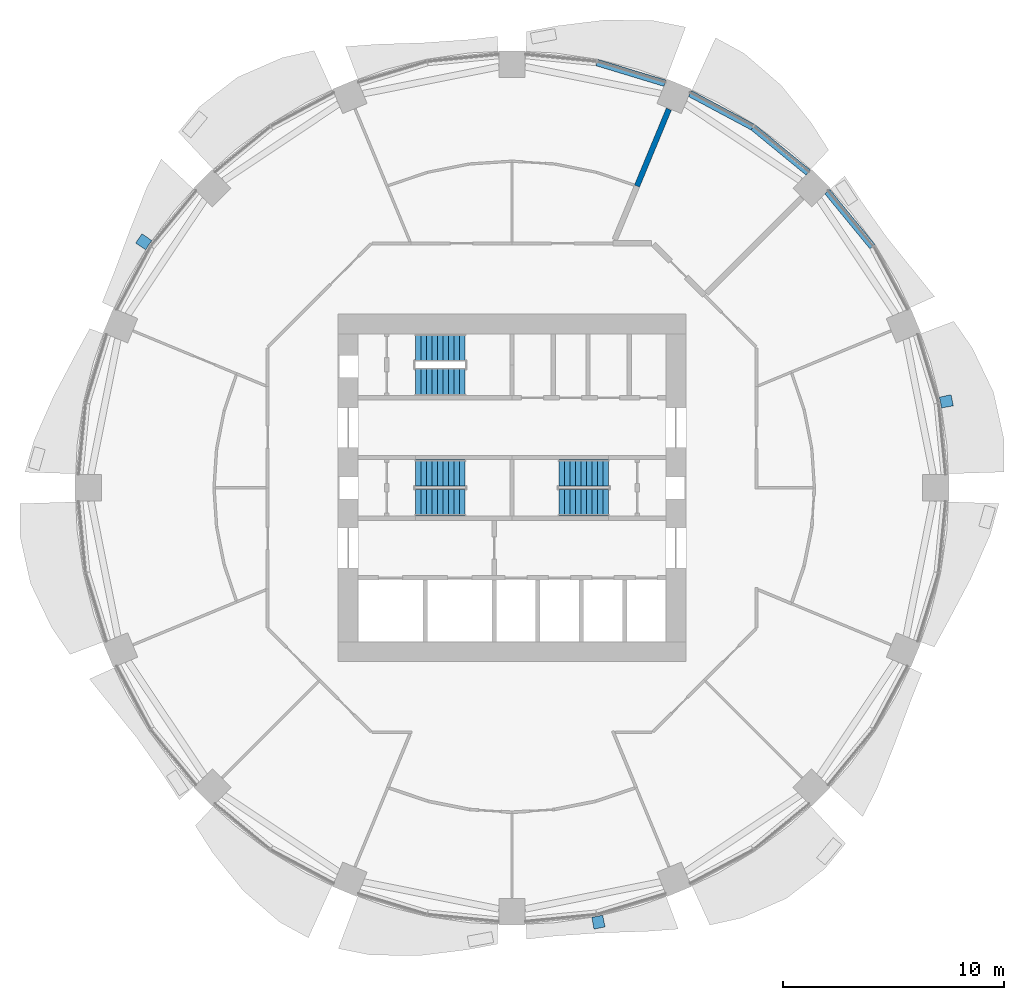
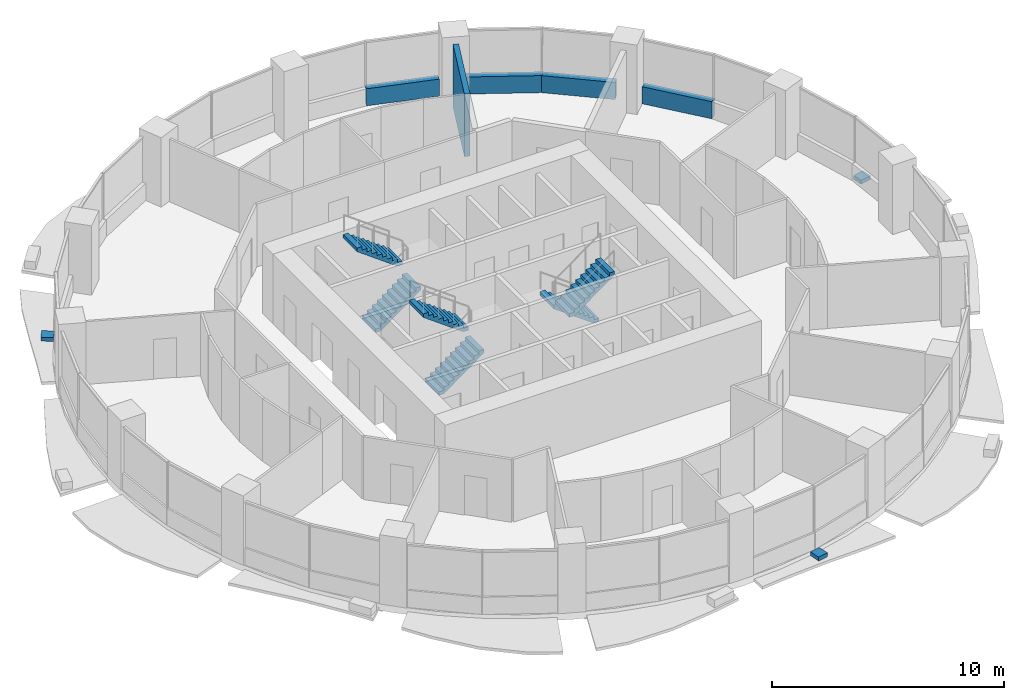
# One storey, part 11 of 15: 6 stair flights, 5 walls, 3 discrete accessories, 3 elements without a shape of their own.
"""IFC4 building model written with IfcOpenShell, lengths in metres."""

from ifc_helpers import new_model, si_unit, direction, frame, frame_2d, origin, place, context, subcontext, project, spatial, polyline, rectangle, outline, extrude, material, layer, layer_set, type_object, element, aggregate, save


model = new_model("IFC4")

# Units and contexts
model_context = context("Model", 3, precision=1e-05, world=origin(), true_north=direction((0.0, 1.0)))
body_context = subcontext(model_context, "Body", "Model", "MODEL_VIEW")
ifc_project = project(units=[si_unit("LENGTHUNIT", "METRE"), si_unit("AREAUNIT", "SQUARE_METRE"), si_unit("VOLUMEUNIT", "CUBIC_METRE"), si_unit("PLANEANGLEUNIT", "RADIAN"), si_unit("MASSUNIT", "GRAM", prefix="KILO")], contexts=[model_context])

# Site, building, storey
site_placement = place(None, origin())
site = spatial("IfcSite", under=ifc_project, at=site_placement, CompositionType="ELEMENT")
building_placement = place(site_placement, origin())
building = spatial("IfcBuilding", under=site, at=building_placement, Name="Polderwave Tower", CompositionType="ELEMENT")
storey_placement = place(building_placement, frame((0.0, 0.0, 29.85009765625)))
storey = spatial("IfcBuildingStorey", under=building, at=storey_placement, Name="L07", CompositionType="ELEMENT", Elevation=29.85009765625)

# Walls
ifc_material_1 = material(Name="Concrete C50/60 (board-marked)", Category="concrete")
ifc_layer_1 = layer(ifc_material_1, 0.300048828125)
ifc_layer_set_1 = layer_set([ifc_layer_1], Name="Concrete spandrel upstand C50/60")
wall_type_1 = type_object("IfcWallType", Name="Concrete spandrel upstand C50/60", PredefinedType="SOLIDWALL", material=ifc_layer_set_1)
for number, where, z_axis, x_axis, name in (
    (1, (16.32861328125, 10.9287109375, 0.0), (0.0, 0.0, 1.0), (-0.634380496993, 0.773020947345, 0.0), "Spandrel L07 2b"),
    (2, (13.41845703125, 14.285400390625, 0.0), (0.0, 0.0, 1.0), (-0.773020947345, 0.634380496993, 0.0), "Spandrel L07 3a"),
):
    element("IfcWall", number, at=place(storey_placement, frame(where, z_axis=z_axis, x_axis=x_axis)), inside=storey, type_object=wall_type_1, Name=name, PredefinedType="SOLIDWALL", context=body_context, shape_type="SweptSolid", body=[
        extrude(rectangle(XDim=3.220703125, YDim=0.300048828125, at=frame_2d((1.6103515625, 0.0))), origin(), (0.0, 0.0, 1.0), 0.89990234375),
    ])
wall_1_placement = place(storey_placement, frame((10.90380859375, 16.34521484375, 0.0), z_axis=(0.0, 0.0, 1.0), x_axis=(-0.882016961449, 0.471217656413, 0.0)))
element("IfcWall", 3, at=wall_1_placement, inside=storey, type_object=wall_type_1, Name="Spandrel L07 3b", PredefinedType="SOLIDWALL", context=body_context, shape_type="SweptSolid", body=[
    extrude(rectangle(XDim=3.220458984375, YDim=0.300048828125, at=frame_2d((1.6103515625, 0.0))), origin(), (0.0, 0.0, 1.0), 0.89990234375),
])
wall_2_placement = place(storey_placement, frame((6.9296875, 18.33251953125, 0.0), z_axis=(0.0, 0.0, 1.0), x_axis=(-0.956935111364, 0.290301899131, 0.0)))
element("IfcWall", 4, at=wall_2_placement, inside=storey, type_object=wall_type_1, Name="Spandrel L07 4a", PredefinedType="SOLIDWALL", context=body_context, shape_type="SweptSolid", body=[
    extrude(rectangle(XDim=3.220947265625, YDim=0.300048828125, at=frame_2d((1.6103515625, 0.0))), origin(), (0.0, 0.0, 1.0), 0.89990234375),
])
ifc_material_2 = material(Name="Fire-resisting board on steel studs, mineral wool", Category="steel")
ifc_layer_2 = layer(ifc_material_2, 0.25)
ifc_layer_set_2 = layer_set([ifc_layer_2], Name="Plant room wall 250 mm EI 120")
wall_type_2 = type_object("IfcWallType", Name="Plant room wall 250 mm EI 120", PredefinedType="PARTITIONING", material=ifc_layer_set_2)
wall_3_placement = place(storey_placement, frame((5.663818359375, 13.67333984375, 0.0), z_axis=(0.0, 0.0, 1.0), x_axis=(0.38265110277, 0.923892923205, 0.0)))
element("IfcWall", 5, at=wall_3_placement, inside=storey, type_object=wall_type_2, Name="IN-L07-W034", PredefinedType="PARTITIONING", context=body_context, shape_type="SweptSolid", body=[
    extrude(rectangle(XDim=3.77001953125, YDim=0.25, at=frame_2d((1.885009765625, 0.0))), origin(), (0.0, 0.0, 1.0), 3.2998046875),
])

# Stair, stair flights
ifc_material_3 = material(Name="Concrete C40/50", Category="concrete")
stair_type = type_object("IfcStairType", Name="Exit stair 1200 x 20 risers", PredefinedType="HALF_TURN_STAIR", material=ifc_material_3)
stair_1_placement = place(storey_placement, origin())
stair_1 = element("IfcStair", 6, at=stair_1_placement, inside=storey, type_object=stair_type, Name="L07 Exit stair A", PredefinedType="HALF_TURN_STAIR")
stair_flight_type = type_object("IfcStairFlightType", Name="Stair flight 1200", PredefinedType="STRAIGHT", material=ifc_material_3)
stair_flight_1_placement = place(storey_placement, frame((-4.3740234375, -0.675048828125, 0.0), z_axis=(0.0, 0.0, 1.0), x_axis=(1.0, 0.0, 0.0)))
stair_flight_1 = element("IfcStairFlight", 7, at=stair_flight_1_placement, type_object=stair_flight_type, Name="ST-A flight 1", NumberOfRisers=10, NumberOfTreads=9, PredefinedType="STRAIGHT", RiserHeight=0.1825, TreadLength=0.25, context=body_context, shape_type="SweptSolid", body=[
    extrude(outline(polyline([(0.0, 0.0), (0.0, 0.1826171875), (0.25, 0.1826171875), (0.25, 0.364990234375), (0.5, 0.364990234375), (0.5, 0.547607421875), (0.75, 0.547607421875), (0.75, 0.72998046875), (1.0, 0.72998046875), (1.0, 0.91259765625), (1.25, 0.91259765625), (1.25, 1.094970703125), (1.5, 1.094970703125), (1.5, 1.277587890625), (1.75, 1.277587890625), (1.75, 1.4599609375), (2.0, 1.4599609375), (2.0, 1.642578125), (2.25, 1.642578125), (2.25, 1.824951171875), (2.25, 1.456787109375), (0.254150390625, 0.0), (0.0, 0.0)])), frame((0.0, 0.60009765625, 0.0), z_axis=(0.0, -1.0, 0.0), x_axis=(1.0, 0.0, 0.0)), (0.0, 0.0, 1.0), 1.199951171875),
])
stair_flight_2_placement = place(storey_placement, frame((-2.1240234375, 0.675048828125, 1.824951171875), z_axis=(0.0, 0.0, 1.0), x_axis=(-1.0, 0.0, 0.0)))
stair_flight_2 = element("IfcStairFlight", 8, at=stair_flight_2_placement, type_object=stair_flight_type, Name="ST-A flight 2", NumberOfRisers=10, NumberOfTreads=9, PredefinedType="STRAIGHT", RiserHeight=0.1825, TreadLength=0.25, context=body_context, shape_type="SweptSolid", body=[
    extrude(outline(polyline([(0.0, 0.0), (0.0, 0.1826171875), (0.25, 0.1826171875), (0.25, 0.364990234375), (0.5, 0.364990234375), (0.5, 0.547607421875), (0.75, 0.547607421875), (0.75, 0.72998046875), (1.0, 0.72998046875), (1.0, 0.91259765625), (1.25, 0.91259765625), (1.25, 1.094970703125), (1.5, 1.094970703125), (1.5, 1.277587890625), (1.75, 1.277587890625), (1.75, 1.4599609375), (2.0, 1.4599609375), (2.0, 1.642578125), (2.25, 1.642578125), (2.25, 1.824951171875), (2.25, 1.456787109375), (0.254150390625, 0.0), (0.0, 0.0)])), frame((0.0, 0.60009765625, 0.0), z_axis=(0.0, -1.0, 0.0), x_axis=(1.0, 0.0, 0.0)), (0.0, 0.0, 1.0), 1.199951171875),
])
aggregate(stair_1, [stair_flight_1, stair_flight_2])

stair_2_placement = place(storey_placement, origin())
stair_2 = element("IfcStair", 9, at=stair_2_placement, inside=storey, type_object=stair_type, Name="L07 Exit stair B", PredefinedType="HALF_TURN_STAIR")
stair_flight_3_placement = place(storey_placement, frame((4.3740234375, 0.675048828125, 0.0), z_axis=(0.0, 0.0, 1.0), x_axis=(-1.0, 0.0, 0.0)))
stair_flight_3 = element("IfcStairFlight", 10, at=stair_flight_3_placement, type_object=stair_flight_type, Name="ST-B flight 1", NumberOfRisers=10, NumberOfTreads=9, PredefinedType="STRAIGHT", RiserHeight=0.1825, TreadLength=0.25, context=body_context, shape_type="SweptSolid", body=[
    extrude(outline(polyline([(0.0, 0.0), (0.0, 0.1826171875), (0.25, 0.1826171875), (0.25, 0.364990234375), (0.5, 0.364990234375), (0.5, 0.547607421875), (0.75, 0.547607421875), (0.75, 0.72998046875), (1.0, 0.72998046875), (1.0, 0.91259765625), (1.25, 0.91259765625), (1.25, 1.094970703125), (1.5, 1.094970703125), (1.5, 1.277587890625), (1.75, 1.277587890625), (1.75, 1.4599609375), (2.0, 1.4599609375), (2.0, 1.642578125), (2.25, 1.642578125), (2.25, 1.824951171875), (2.25, 1.456787109375), (0.254150390625, 0.0), (0.0, 0.0)])), frame((0.0, 0.60009765625, 0.0), z_axis=(0.0, -1.0, 0.0), x_axis=(1.0, 0.0, 0.0)), (0.0, 0.0, 1.0), 1.199951171875),
])
stair_flight_4_placement = place(storey_placement, frame((2.1240234375, -0.675048828125, 1.824951171875), z_axis=(0.0, 0.0, 1.0), x_axis=(1.0, 0.0, 0.0)))
stair_flight_4 = element("IfcStairFlight", 11, at=stair_flight_4_placement, type_object=stair_flight_type, Name="ST-B flight 2", NumberOfRisers=10, NumberOfTreads=9, PredefinedType="STRAIGHT", RiserHeight=0.1825, TreadLength=0.25, context=body_context, shape_type="SweptSolid", body=[
    extrude(outline(polyline([(0.0, 0.0), (0.0, 0.1826171875), (0.25, 0.1826171875), (0.25, 0.364990234375), (0.5, 0.364990234375), (0.5, 0.547607421875), (0.75, 0.547607421875), (0.75, 0.72998046875), (1.0, 0.72998046875), (1.0, 0.91259765625), (1.25, 0.91259765625), (1.25, 1.094970703125), (1.5, 1.094970703125), (1.5, 1.277587890625), (1.75, 1.277587890625), (1.75, 1.4599609375), (2.0, 1.4599609375), (2.0, 1.642578125), (2.25, 1.642578125), (2.25, 1.824951171875), (2.25, 1.456787109375), (0.254150390625, 0.0), (0.0, 0.0)])), frame((0.0, 0.60009765625, 0.0), z_axis=(0.0, -1.0, 0.0), x_axis=(1.0, 0.0, 0.0)), (0.0, 0.0, 1.0), 1.199951171875),
])
aggregate(stair_2, [stair_flight_3, stair_flight_4])

stair_3_placement = place(storey_placement, origin())
stair_3 = element("IfcStair", 12, at=stair_3_placement, inside=storey, type_object=stair_type, Name="L07 Exit stair C", PredefinedType="HALF_TURN_STAIR")
stair_flight_5_placement = place(storey_placement, frame((-4.3740234375, 4.77392578125, 0.0), z_axis=(0.0, 0.0, 1.0), x_axis=(1.0, 0.0, 0.0)))
stair_flight_5 = element("IfcStairFlight", 13, at=stair_flight_5_placement, type_object=stair_flight_type, Name="ST-C flight 1", NumberOfRisers=10, NumberOfTreads=9, PredefinedType="STRAIGHT", RiserHeight=0.1825, TreadLength=0.25, context=body_context, shape_type="SweptSolid", body=[
    extrude(outline(polyline([(0.0, 0.0), (0.0, 0.1826171875), (0.25, 0.1826171875), (0.25, 0.364990234375), (0.5, 0.364990234375), (0.5, 0.547607421875), (0.75, 0.547607421875), (0.75, 0.72998046875), (1.0, 0.72998046875), (1.0, 0.91259765625), (1.25, 0.91259765625), (1.25, 1.094970703125), (1.5, 1.094970703125), (1.5, 1.277587890625), (1.75, 1.277587890625), (1.75, 1.4599609375), (2.0, 1.4599609375), (2.0, 1.642578125), (2.25, 1.642578125), (2.25, 1.824951171875), (2.25, 1.456787109375), (0.254150390625, 0.0), (0.0, 0.0)])), frame((0.0, 0.60009765625, 0.0), z_axis=(0.0, -1.0, 0.0), x_axis=(1.0, 0.0, 0.0)), (0.0, 0.0, 1.0), 1.199951171875),
])
stair_flight_6_placement = place(storey_placement, frame((-2.1240234375, 6.3740234375, 1.824951171875), z_axis=(0.0, 0.0, 1.0), x_axis=(-1.0, 0.0, 0.0)))
stair_flight_6 = element("IfcStairFlight", 14, at=stair_flight_6_placement, type_object=stair_flight_type, Name="ST-C flight 2", NumberOfRisers=10, NumberOfTreads=9, PredefinedType="STRAIGHT", RiserHeight=0.1825, TreadLength=0.25, context=body_context, shape_type="SweptSolid", body=[
    extrude(outline(polyline([(0.0, 0.0), (0.0, 0.1826171875), (0.25, 0.1826171875), (0.25, 0.364990234375), (0.5, 0.364990234375), (0.5, 0.547607421875), (0.75, 0.547607421875), (0.75, 0.72998046875), (1.0, 0.72998046875), (1.0, 0.91259765625), (1.25, 0.91259765625), (1.25, 1.094970703125), (1.5, 1.094970703125), (1.5, 1.277587890625), (1.75, 1.277587890625), (1.75, 1.4599609375), (2.0, 1.4599609375), (2.0, 1.642578125), (2.25, 1.642578125), (2.25, 1.824951171875), (2.25, 1.456787109375), (0.254150390625, 0.0), (0.0, 0.0)])), frame((0.0, 0.60009765625, 0.0), z_axis=(0.0, -1.0, 0.0), x_axis=(1.0, 0.0, 0.0)), (0.0, 0.0, 1.0), 1.199951171875),
])
aggregate(stair_3, [stair_flight_5, stair_flight_6])

# Discrete accessories
ifc_material_4 = material(Name="Steel S355", Category="steel")
discrete_accessory_type = type_object("IfcDiscreteAccessoryType", Name="Band bracket pad", PredefinedType="BRACKET", material=ifc_material_4)
discrete_accessory_1_placement = place(storey_placement, frame((0.0, 0.0, -0.2001953125)))
element("IfcDiscreteAccessory", 15, at=discrete_accessory_1_placement, inside=storey, type_object=discrete_accessory_type, Name="Band bracket L07 1", PredefinedType="BRACKET", context=body_context, shape_type="SweptSolid", body=[
    extrude(outline(polyline([(19.456298828125, 3.615478515625), (19.41943359375, 3.86279296875), (19.35888671875, 4.105224609375), (19.896728515625, 4.219482421875), (19.9970703125, 3.716064453125), (19.456298828125, 3.615478515625)])), origin(), (0.0, 0.0, 1.0), 0.2001953125),
])
discrete_accessory_2_placement = place(storey_placement, frame((0.0, 0.0, -0.2001953125)))
element("IfcDiscreteAccessory", 16, at=discrete_accessory_2_placement, inside=storey, type_object=discrete_accessory_type, Name="Band bracket L07 7", PredefinedType="BRACKET", context=body_context, shape_type="SweptSolid", body=[
    extrude(outline(polyline([(-16.314208984375, 11.201171875), (-16.463134765625, 11.000244140625), (-16.591552734375, 10.785888671875), (-17.052734375, 11.085693359375), (-16.767578125, 11.512451171875), (-16.314208984375, 11.201171875)])), origin(), (0.0, 0.0, 1.0), 0.2001953125),
])
discrete_accessory_3_placement = place(storey_placement, frame((0.0, 0.0, -0.2001953125)))
element("IfcDiscreteAccessory", 17, at=discrete_accessory_3_placement, inside=storey, type_object=discrete_accessory_type, Name="Band bracket L07 13", PredefinedType="BRACKET", context=body_context, shape_type="SweptSolid", body=[
    extrude(outline(polyline([(3.615478515625, -19.456298828125), (3.86279296875, -19.41943359375), (4.105224609375, -19.35888671875), (4.219482421875, -19.896728515625), (3.716064453125, -19.9970703125), (3.615478515625, -19.456298828125)])), origin(), (0.0, 0.0, 1.0), 0.2001953125),
])

save(model, "model.ifc")
